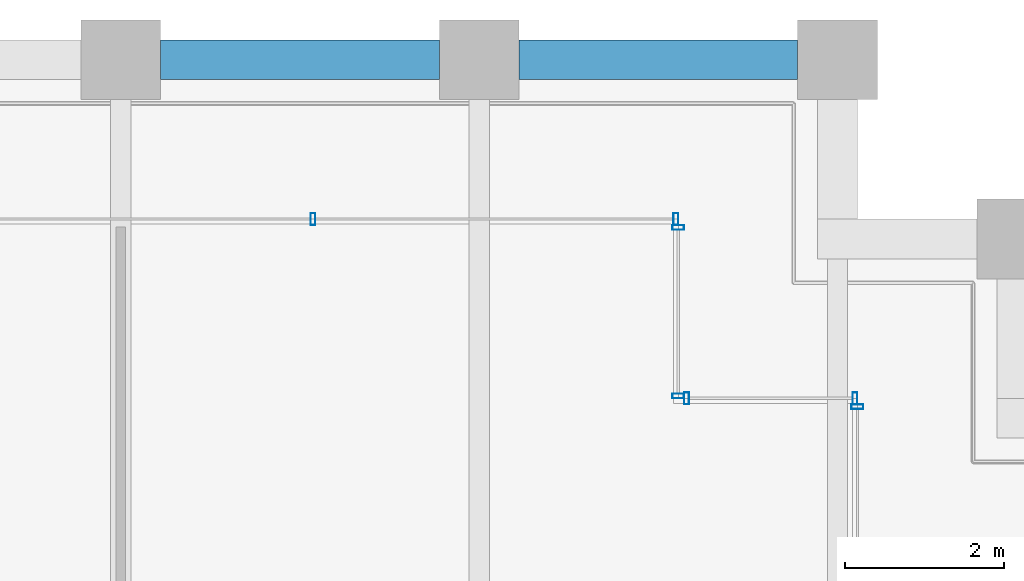
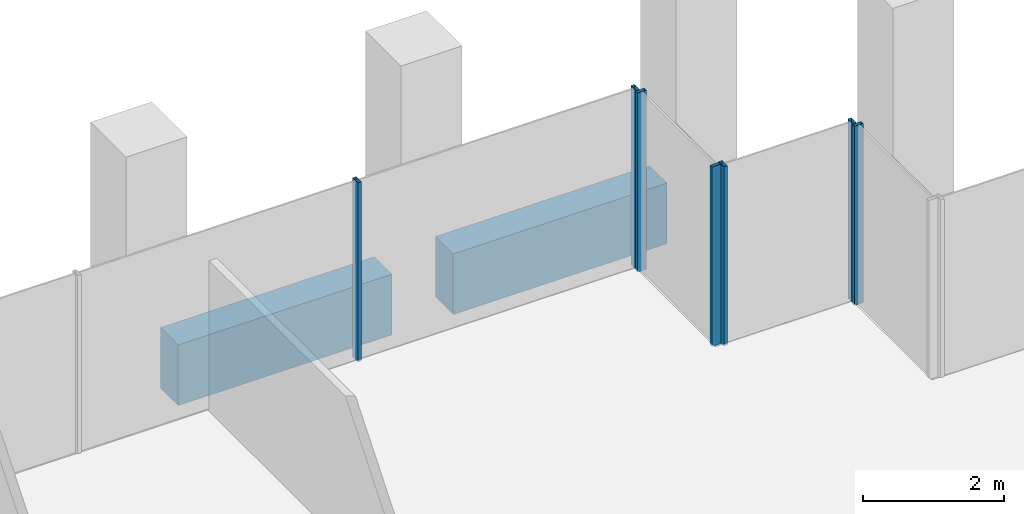
# One storey, part 26 of 46: 7 members, 2 beams, 4 elements without a shape of their own.
"""IFC4 building model written with IfcOpenShell, lengths in metres."""

from ifc_helpers import new_model, si_unit, direction, frame, origin, origin_2d, place, context, subcontext, project, spatial, rectangle, hollow_rectangle, extrude, material, material_profile, profile_set, type_object, element, aggregate, save


model = new_model("IFC4")

# Units and contexts
model_context = context("Model", 3, precision=1e-05, world=origin(), true_north=direction((0.0, 1.0)))
body_context = subcontext(model_context, "Body", "Model", "MODEL_VIEW")
ifc_project = project(units=[si_unit("LENGTHUNIT", "METRE"), si_unit("AREAUNIT", "SQUARE_METRE"), si_unit("VOLUMEUNIT", "CUBIC_METRE"), si_unit("PLANEANGLEUNIT", "RADIAN"), si_unit("MASSUNIT", "GRAM", prefix="KILO")], contexts=[model_context])

# Site, building, storey
site_placement = place(None, origin())
site = spatial("IfcSite", under=ifc_project, at=site_placement, CompositionType="ELEMENT")
building_placement = place(site_placement, origin())
building = spatial("IfcBuilding", under=site, at=building_placement, Name="Altepetl Exchange Towers", CompositionType="ELEMENT")
storey_placement = place(building_placement, frame((0.0, 0.0, 135.199951171875)))
storey = spatial("IfcBuildingStorey", under=building, at=storey_placement, Name="L33", CompositionType="ELEMENT", Elevation=135.199951171875)

# Curtain wall, member
ifc_material_1 = material(Name="Aluminium 6063-T6 glazing", Category="aluminium")
curtain_wall_type = type_object("IfcCurtainWallType", Name="Loggia glazing system", PredefinedType="NOTDEFINED", material=ifc_material_1)
curtain_wall_1_placement = place(storey_placement, origin())
curtain_wall_1 = element("IfcCurtainWall", 1, at=curtain_wall_1_placement, inside=storey, type_object=curtain_wall_type, Name="CW1 run", PredefinedType="NOTDEFINED")
ifc_material_2 = material(Name="Aluminium 6063-T6", Category="aluminium")
ifc_material_profile_1 = material_profile(ifc_material_2, hollow_rectangle(XDim=0.06005859375, YDim=0.14990234375, WallThickness=0.0029296875, at=origin_2d()), Name="Mullion 60x150 aluminium")
ifc_profile_set_1 = profile_set([ifc_material_profile_1], Name="Aluminium 6063-T6")
member_type = type_object("IfcMemberType", Name="Mullion 60x150 aluminium", PredefinedType="MULLION", material=ifc_profile_set_1)
member_1_placement = place(storey_placement, frame((67.75, 67.64501953125, 0.0), z_axis=(0.0, 0.0, 1.0), x_axis=(0.0, 1.0, 0.0)))
member_1 = element("IfcMember", 2, at=member_1_placement, type_object=member_type, Name="MU1 mullion", PredefinedType="MULLION", context=body_context, shape_type="SweptSolid", body=[
    extrude(hollow_rectangle(XDim=0.06005859375, YDim=0.14990234375, WallThickness=0.0029296875, at=origin_2d()), origin(), (0.0, 0.0, 1.0), 3.10009765625),
])
aggregate(curtain_wall_1, [member_1])

# Curtain wall, members
curtain_wall_2_placement = place(storey_placement, origin())
curtain_wall_2 = element("IfcCurtainWall", 3, at=curtain_wall_2_placement, inside=storey, type_object=curtain_wall_type, Name="CW1 run", PredefinedType="NOTDEFINED")
member_2_placement = place(storey_placement, frame((67.719970703125, 67.75, 0.0), z_axis=(0.0, 0.0, 1.0), x_axis=(-1.0, 0.0, 0.0)))
member_2 = element("IfcMember", 4, at=member_2_placement, type_object=member_type, Name="MU1 mullion", PredefinedType="MULLION", context=body_context, shape_type="SweptSolid", body=[
    extrude(hollow_rectangle(XDim=0.06005859375, YDim=0.14990234375, WallThickness=0.0029296875, at=origin_2d()), origin(), (0.0, 0.0, 1.0), 3.10009765625),
])
member_3_placement = place(storey_placement, frame((65.60498046875, 67.75, 0.0), z_axis=(0.0, 0.0, 1.0), x_axis=(-1.0, 0.0, 0.0)))
member_3 = element("IfcMember", 5, at=member_3_placement, type_object=member_type, Name="MU1 mullion", PredefinedType="MULLION", context=body_context, shape_type="SweptSolid", body=[
    extrude(hollow_rectangle(XDim=0.06005859375, YDim=0.14990234375, WallThickness=0.0029296875, at=origin_2d()), origin(), (0.0, 0.0, 1.0), 3.10009765625),
])
aggregate(curtain_wall_2, [member_2, member_3])

curtain_wall_3_placement = place(storey_placement, origin())
curtain_wall_3 = element("IfcCurtainWall", 6, at=curtain_wall_3_placement, inside=storey, type_object=curtain_wall_type, Name="CW1 run", PredefinedType="NOTDEFINED")
member_4_placement = place(storey_placement, frame((65.5, 67.780029296875, 0.0), z_axis=(0.0, 0.0, 1.0), x_axis=(0.0, 1.0, 0.0)))
member_4 = element("IfcMember", 7, at=member_4_placement, type_object=member_type, Name="MU1 mullion", PredefinedType="MULLION", context=body_context, shape_type="SweptSolid", body=[
    extrude(hollow_rectangle(XDim=0.06005859375, YDim=0.14990234375, WallThickness=0.0029296875, at=origin_2d()), origin(), (0.0, 0.0, 1.0), 3.10009765625),
])
member_5_placement = place(storey_placement, frame((65.5, 69.89501953125, 0.0), z_axis=(0.0, 0.0, 1.0), x_axis=(0.0, 1.0, 0.0)))
member_5 = element("IfcMember", 8, at=member_5_placement, type_object=member_type, Name="MU1 mullion", PredefinedType="MULLION", context=body_context, shape_type="SweptSolid", body=[
    extrude(hollow_rectangle(XDim=0.06005859375, YDim=0.14990234375, WallThickness=0.0029296875, at=origin_2d()), origin(), (0.0, 0.0, 1.0), 3.10009765625),
])
aggregate(curtain_wall_3, [member_4, member_5])

curtain_wall_4_placement = place(storey_placement, origin())
curtain_wall_4 = element("IfcCurtainWall", 9, at=curtain_wall_4_placement, inside=storey, type_object=curtain_wall_type, Name="CW1 run", PredefinedType="NOTDEFINED")
member_6_placement = place(storey_placement, frame((65.469970703125, 70.0, 0.0), z_axis=(0.0, 0.0, 1.0), x_axis=(-1.0, 0.0, 0.0)))
member_6 = element("IfcMember", 10, at=member_6_placement, type_object=member_type, Name="MU1 mullion", PredefinedType="MULLION", context=body_context, shape_type="SweptSolid", body=[
    extrude(hollow_rectangle(XDim=0.06005859375, YDim=0.14990234375, WallThickness=0.0029296875, at=origin_2d()), origin(), (0.0, 0.0, 1.0), 3.10009765625),
])
member_7_placement = place(storey_placement, frame((60.9150390625, 70.0, 0.0), z_axis=(0.0, 0.0, 1.0), x_axis=(-1.0, 0.0, 0.0)))
member_7 = element("IfcMember", 11, at=member_7_placement, type_object=member_type, Name="MU1 mullion", PredefinedType="MULLION", context=body_context, shape_type="SweptSolid", body=[
    extrude(hollow_rectangle(XDim=0.06005859375, YDim=0.14990234375, WallThickness=0.0029296875, at=origin_2d()), origin(), (0.0, 0.0, 1.0), 3.10009765625),
])
aggregate(curtain_wall_4, [member_6, member_7])

# Beams
ifc_material_3 = material(Name="Concrete C50/60 precast with cantera rosa facing", Category="concrete")
ifc_material_profile_2 = material_profile(ifc_material_3, rectangle(XDim=0.5, YDim=1.050048828125, at=origin_2d()), Name="500 x 1050")
ifc_profile_set_2 = profile_set([ifc_material_profile_2], Name="Concrete C50/60 precast with cantera rosa facing")
beam_type = type_object("IfcBeamType", Name="Spandrel beam 500x1050 cantera rosa", PredefinedType="SPANDREL", material=ifc_profile_set_2)
for number, where, z_axis, x_axis, name in (
    (12, (67.0, 72.0, -0.675048828125), (-1.0, 0.0, 0.0), (0.0, -1.0, 0.0), "sp:A:L33:024"),
    (13, (62.5, 72.0, -0.675048828125), (-1.0, 0.0, 0.0), (0.0, -1.0, 0.0), "sp:A:L33:025"),
):
    element("IfcBeam", number, at=place(storey_placement, frame(where, z_axis=z_axis, x_axis=x_axis)), inside=storey, type_object=beam_type, Name=name, PredefinedType="SPANDREL", context=body_context, shape_type="SweptSolid", body=[
        extrude(rectangle(XDim=0.5, YDim=1.050048828125, at=origin_2d()), origin(), (0.0, 0.0, 1.0), 3.5),
    ])

save(model, "model.ifc")
